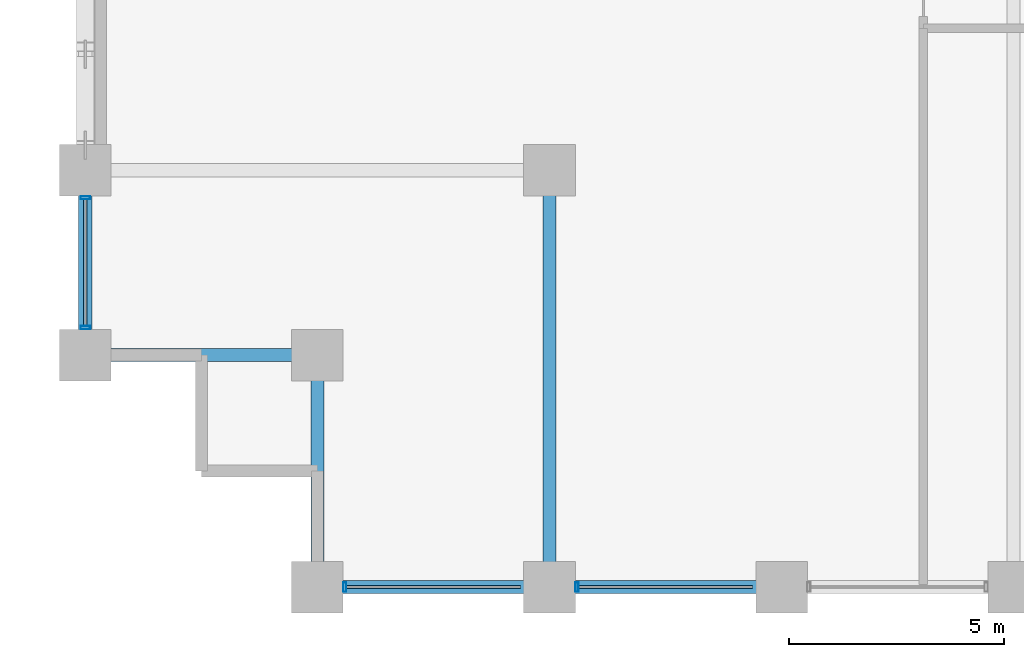
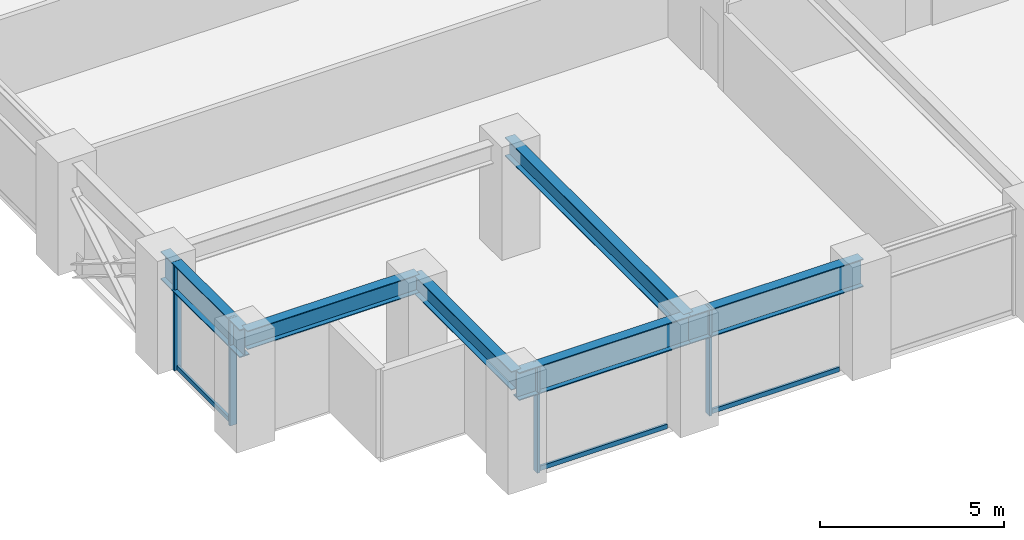
# One storey, part 2 of 27: 7 members, 6 beams, 2 elements without a shape of their own.
"""IFC4 building model written with IfcOpenShell, lengths in metres."""

from ifc_helpers import new_model, si_unit, direction, frame, origin, origin_2d, place, context, subcontext, project, spatial, hollow_rectangle, i_section, extrude, material, layer, layer_set, material_profile, profile_set, type_object, element, aggregate, save


model = new_model("IFC4")

# Units and contexts
model_context = context("Model", 3, precision=1e-05, world=origin(), true_north=direction((0.0, 1.0)))
body_context = subcontext(model_context, "Body", "Model", "MODEL_VIEW")
ifc_project = project(units=[si_unit("LENGTHUNIT", "METRE"), si_unit("AREAUNIT", "SQUARE_METRE"), si_unit("VOLUMEUNIT", "CUBIC_METRE"), si_unit("PLANEANGLEUNIT", "RADIAN"), si_unit("MASSUNIT", "GRAM", prefix="KILO")], contexts=[model_context])

# Site, building, storey
site_placement = place(None, origin())
site = spatial("IfcSite", under=ifc_project, at=site_placement, CompositionType="ELEMENT")
building_placement = place(site_placement, origin())
building = spatial("IfcBuilding", under=site, at=building_placement, Name="Surkhivell Harbour Commons", CompositionType="ELEMENT")
storey_placement = place(building_placement, frame((0.0, 0.0, 56.25)))
storey = spatial("IfcBuildingStorey", under=building, at=storey_placement, Name="L14", CompositionType="ELEMENT", Elevation=56.25)

# Beams
ifc_material_1 = material(Name="Steel S355", Category="steel")
ifc_material_profile_1 = material_profile(ifc_material_1, i_section(OverallWidth=0.306884765625, OverallDepth=0.6201171875, WebThickness=0.01416015625, FlangeThickness=0.023681640625, at=origin_2d()), Name="UB610x305x179")
ifc_profile_set_1 = profile_set([ifc_material_profile_1], Name="Steel S355")
beam_type_1 = type_object("IfcBeamType", Name="BM-GRD-610A", PredefinedType="BEAM", material=ifc_profile_set_1)
for number, where, z_axis, x_axis, name in (
    (1, (-32.39990234375, -20.5, 3.260009765625), (1.0, 0.0, 0.0), (0.0, 1.0, 0.0), "L14 Floor Girder (-32.4,-20.5)"),
    (2, (-27.0, -25.89990234375, 3.260009765625), (0.0, 1.0, 0.0), (-1.0, 0.0, 0.0), "L14 Floor Girder (-27.0,-25.9)"),
):
    element("IfcBeam", number, at=place(storey_placement, frame(where, z_axis=z_axis, x_axis=x_axis)), inside=storey, type_object=beam_type_1, Name=name, PredefinedType="BEAM", context=body_context, shape_type="SweptSolid", body=[
        extrude(i_section(OverallWidth=0.306884765625, OverallDepth=0.6201171875, WebThickness=0.01416015625, FlangeThickness=0.023681640625, at=origin_2d()), origin(), (0.0, 0.0, 1.0), 5.39990234375),
    ])
beam_1_placement = place(storey_placement, frame((-21.60009765625, -25.89990234375, 3.260009765625), z_axis=(0.0, 1.0, 0.0), x_axis=(-1.0, 0.0, 0.0)))
element("IfcBeam", 3, at=beam_1_placement, inside=storey, type_object=beam_type_1, Name="L14 Floor Girder (-21.6,-25.9)", PredefinedType="BEAM", context=body_context, shape_type="SweptSolid", body=[
    extrude(i_section(OverallWidth=0.306884765625, OverallDepth=0.6201171875, WebThickness=0.01416015625, FlangeThickness=0.023681640625, at=origin_2d()), origin(), (0.0, 0.0, 1.0), 9.699951171875),
])
ifc_material_2 = material(Name="Steel S460", Category="steel")
ifc_material_profile_2 = material_profile(ifc_material_2, i_section(OverallWidth=0.30810546875, OverallDepth=0.927001953125, WebThickness=0.01953125, FlangeThickness=0.031982421875, at=origin_2d()), Name="UB914x305x289")
ifc_profile_set_2 = profile_set([ifc_material_profile_2], Name="Steel S460")
beam_type_2 = type_object("IfcBeamType", Name="BM-SPN-914B", PredefinedType="SPANDREL", material=ifc_profile_set_2)
beam_2_placement = place(storey_placement, frame((-32.39990234375, -20.5, 3.1064453125), z_axis=(0.0, 1.0, 0.0), x_axis=(-1.0, 0.0, 0.0)))
element("IfcBeam", 4, at=beam_2_placement, inside=storey, type_object=beam_type_2, Name="L14 Tube Spandrel (-32.4,-20.5)", PredefinedType="SPANDREL", context=body_context, shape_type="SweptSolid", body=[
    extrude(i_section(OverallWidth=0.30810546875, OverallDepth=0.927001953125, WebThickness=0.01953125, FlangeThickness=0.031982421875, at=origin_2d()), origin(), (0.0, 0.0, 1.0), 4.300048828125),
])
beam_3_placement = place(storey_placement, frame((-27.0, -25.89990234375, 3.1064453125), z_axis=(1.0, 0.0, 0.0), x_axis=(0.0, 1.0, 0.0)))
element("IfcBeam", 5, at=beam_3_placement, inside=storey, type_object=beam_type_2, Name="L14 Tube Spandrel (-27.0,-25.9)", PredefinedType="SPANDREL", context=body_context, shape_type="SweptSolid", body=[
    extrude(i_section(OverallWidth=0.30810546875, OverallDepth=0.927001953125, WebThickness=0.01953125, FlangeThickness=0.031982421875, at=origin_2d()), origin(), (0.0, 0.0, 1.0), 5.39990234375),
])
beam_4_placement = place(storey_placement, frame((-21.60009765625, -25.89990234375, 3.1064453125), z_axis=(1.0, 0.0, 0.0), x_axis=(0.0, 1.0, 0.0)))
element("IfcBeam", 6, at=beam_4_placement, inside=storey, type_object=beam_type_2, Name="L14 Tube Spandrel (-21.6,-25.9)", PredefinedType="SPANDREL", context=body_context, shape_type="SweptSolid", body=[
    extrude(i_section(OverallWidth=0.30810546875, OverallDepth=0.927001953125, WebThickness=0.01953125, FlangeThickness=0.031982421875, at=origin_2d()), origin(), (0.0, 0.0, 1.0), 5.400146484375),
])

# Curtain wall, members
ifc_material_3 = material(Name="Anodised pale-metal aluminium and insulated glazing", Category="aluminium")
ifc_layer = layer(ifc_material_3, 0.219970703125)
ifc_layer_set = layer_set([ifc_layer], Name="Anodised pale-metal aluminium and insulated glazing")
curtain_wall_type = type_object("IfcCurtainWallType", Name="CW-SYS-Z1", PredefinedType="NOTDEFINED", material=ifc_layer_set)
curtain_wall_1_placement = place(storey_placement, origin())
curtain_wall_1 = element("IfcCurtainWall", 7, at=curtain_wall_1_placement, inside=storey, type_object=curtain_wall_type, Name="L14 Curtain Wall CW-L14-E00S1", PredefinedType="NOTDEFINED")
ifc_material_4 = material(Name="Anodised pale-metal aluminium alloy 6063-T6", Category="aluminium")
ifc_material_profile_3 = material_profile(ifc_material_4, hollow_rectangle(XDim=0.074951171875, YDim=0.219970703125, WallThickness=0.00390625, at=origin_2d()), Name="ALU-MULL-75x220")
ifc_profile_set_3 = profile_set([ifc_material_profile_3], Name="Anodised pale-metal aluminium alloy 6063-T6")
member_type_1 = type_object("IfcMemberType", Name="CWM-220", PredefinedType="MULLION", material=ifc_profile_set_3)
member_1_placement = place(storey_placement, frame((-26.360595703125, -25.89990234375, 0.0), z_axis=(0.0, 0.0, 1.0), x_axis=(1.0, 0.0, 0.0)))
member_1 = element("IfcMember", 8, at=member_1_placement, type_object=member_type_1, Name="CW-Z1 mullion 1", PredefinedType="MULLION", context=body_context, shape_type="SweptSolid", body=[
    extrude(hollow_rectangle(XDim=0.074951171875, YDim=0.219970703125, WallThickness=0.00390625, at=origin_2d()), origin(), (0.0, 0.0, 1.0), 3.570068359375),
])
member_2_placement = place(storey_placement, frame((-20.96044921875, -25.89990234375, 0.0), z_axis=(0.0, 0.0, 1.0), x_axis=(1.0, 0.0, 0.0)))
member_2 = element("IfcMember", 9, at=member_2_placement, type_object=member_type_1, Name="CW-Z1 mullion 2", PredefinedType="MULLION", context=body_context, shape_type="SweptSolid", body=[
    extrude(hollow_rectangle(XDim=0.074951171875, YDim=0.219970703125, WallThickness=0.00390625, at=origin_2d()), origin(), (0.0, 0.0, 1.0), 3.570068359375),
])

curtain_wall_2_placement = place(storey_placement, origin())
curtain_wall_2 = element("IfcCurtainWall", 10, at=curtain_wall_2_placement, inside=storey, type_object=curtain_wall_type, Name="L14 Curtain Wall CW-L14-E12R1S1", PredefinedType="NOTDEFINED")
member_3_placement = place(storey_placement, frame((-32.39990234375, -19.860595703125, 0.0), z_axis=(0.0, 0.0, 1.0), x_axis=(0.0, 1.0, 0.0)))
member_3 = element("IfcMember", 11, at=member_3_placement, type_object=member_type_1, Name="CW-Z1 mullion 1", PredefinedType="MULLION", context=body_context, shape_type="SweptSolid", body=[
    extrude(hollow_rectangle(XDim=0.074951171875, YDim=0.219970703125, WallThickness=0.00390625, at=origin_2d()), origin(), (0.0, 0.0, 1.0), 3.570068359375),
])
member_4_placement = place(storey_placement, frame((-32.39990234375, -16.839599609375, 0.0), z_axis=(0.0, 0.0, 1.0), x_axis=(0.0, 1.0, 0.0)))
member_4 = element("IfcMember", 12, at=member_4_placement, type_object=member_type_1, Name="CW-Z1 mullion 2", PredefinedType="MULLION", context=body_context, shape_type="SweptSolid", body=[
    extrude(hollow_rectangle(XDim=0.074951171875, YDim=0.219970703125, WallThickness=0.00390625, at=origin_2d()), origin(), (0.0, 0.0, 1.0), 3.570068359375),
])

# Member
ifc_material_profile_4 = material_profile(ifc_material_4, hollow_rectangle(XDim=0.074951171875, YDim=0.14990234375, WallThickness=0.00341796875, at=origin_2d()), Name="ALU-TRAN-75x150")
ifc_profile_set_4 = profile_set([ifc_material_profile_4], Name="Anodised pale-metal aluminium alloy 6063-T6")
member_type_2 = type_object("IfcMemberType", Name="CWT-150", PredefinedType="USERDEFINED", material=ifc_profile_set_4)
member_5_placement = place(storey_placement, frame((-26.322998046875, -25.89990234375, 0.074951171875), z_axis=(1.0, 0.0, 0.0), x_axis=(0.0, 1.0, 0.0)))
member_5 = element("IfcMember", 13, at=member_5_placement, type_object=member_type_2, Name="CW-Z1 transom 1.1", ObjectType="TRANSOM", PredefinedType="USERDEFINED", context=body_context, shape_type="SweptSolid", body=[
    extrude(hollow_rectangle(XDim=0.074951171875, YDim=0.14990234375, WallThickness=0.00341796875, at=origin_2d()), origin(), (0.0, 0.0, 1.0), 4.0458984375),
])

member_6_placement = place(storey_placement, frame((-20.923095703125, -25.89990234375, 0.074951171875), z_axis=(1.0, 0.0, 0.0), x_axis=(0.0, 1.0, 0.0)))
member_6 = element("IfcMember", 14, at=member_6_placement, type_object=member_type_2, Name="CW-Z1 transom 2.1", ObjectType="TRANSOM", PredefinedType="USERDEFINED", context=body_context, shape_type="SweptSolid", body=[
    extrude(hollow_rectangle(XDim=0.074951171875, YDim=0.14990234375, WallThickness=0.00341796875, at=origin_2d()), origin(), (0.0, 0.0, 1.0), 4.046142578125),
])

aggregate(curtain_wall_1, [member_1, member_5, member_2, member_6])

member_7_placement = place(storey_placement, frame((-32.39990234375, -19.822998046875, 0.074951171875), z_axis=(0.0, 1.0, 0.0), x_axis=(-1.0, 0.0, 0.0)))
member_7 = element("IfcMember", 15, at=member_7_placement, type_object=member_type_2, Name="CW-Z1 transom 1.1", ObjectType="TRANSOM", PredefinedType="USERDEFINED", context=body_context, shape_type="SweptSolid", body=[
    extrude(hollow_rectangle(XDim=0.074951171875, YDim=0.14990234375, WallThickness=0.00341796875, at=origin_2d()), origin(), (0.0, 0.0, 1.0), 2.946044921875),
])

aggregate(curtain_wall_2, [member_3, member_4, member_7])

save(model, "model.ifc")
